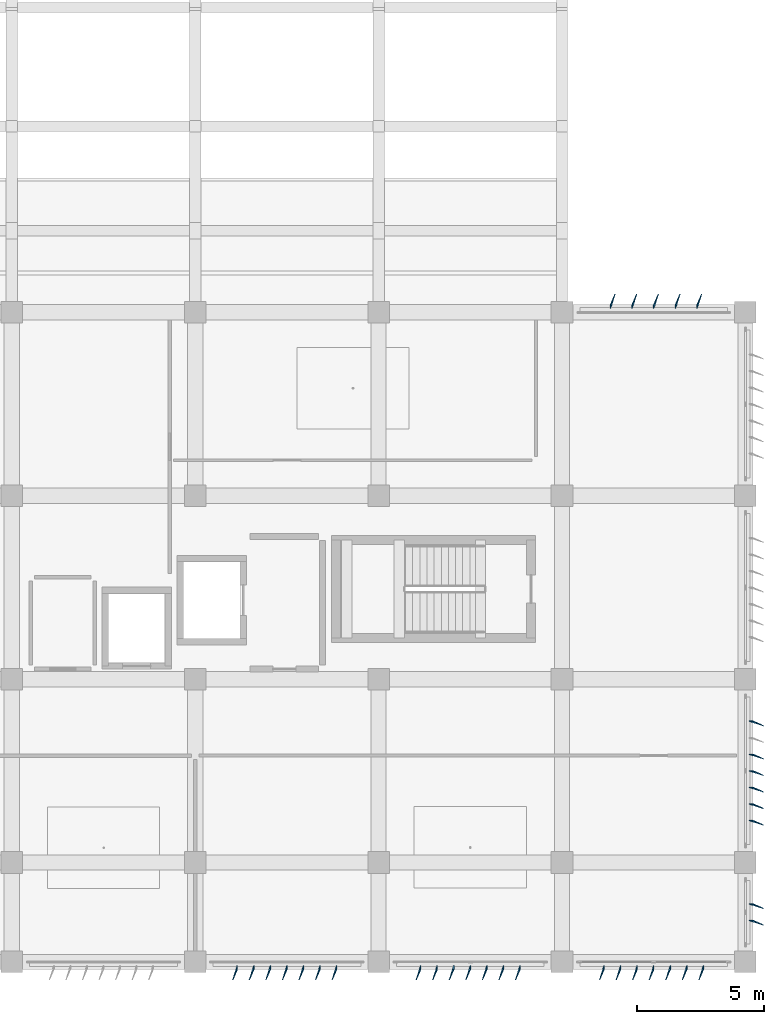
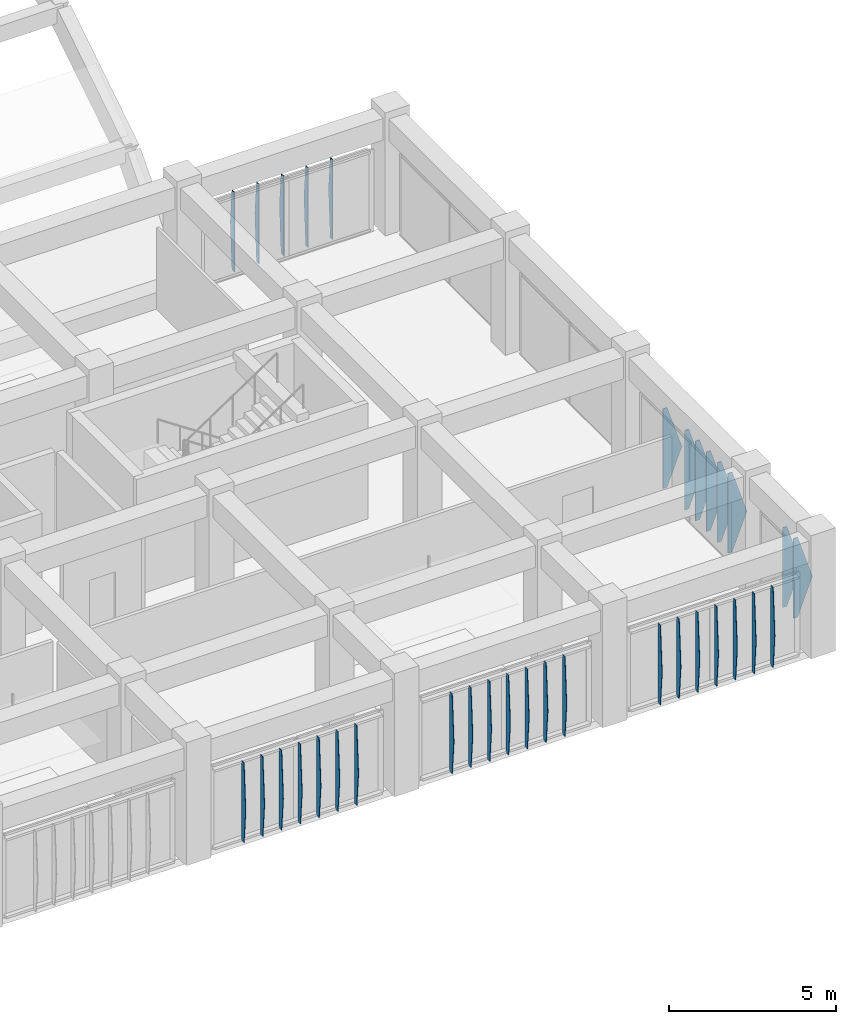
# One storey, part 44 of 48: 34 plates.
"""IFC4 building model written with IfcOpenShell, lengths in metres."""

from ifc_helpers import new_model, si_unit, direction, frame, origin, place, context, subcontext, project, spatial, polygons, material, layer, layer_set, type_object, element, save


model = new_model("IFC4")

# Units and contexts
model_context = context("Model", 3, precision=1e-05, world=origin(), true_north=direction((0.0, 1.0)))
body_context = subcontext(model_context, "Body", "Model", "MODEL_VIEW")
ifc_project = project(units=[si_unit("LENGTHUNIT", "METRE"), si_unit("AREAUNIT", "SQUARE_METRE"), si_unit("VOLUMEUNIT", "CUBIC_METRE"), si_unit("PLANEANGLEUNIT", "RADIAN"), si_unit("MASSUNIT", "GRAM", prefix="KILO")], contexts=[model_context])

# Site, building, storey
site_placement = place(None, origin())
site = spatial("IfcSite", under=ifc_project, at=site_placement, CompositionType="ELEMENT")
building_placement = place(site_placement, origin())
building = spatial("IfcBuilding", under=site, at=building_placement, Name="Kazehaya Institute of Natural Sciences", CompositionType="ELEMENT")
storey_placement = place(building_placement, frame((0.0, 0.0, 19.800048828125)))
storey = spatial("IfcBuildingStorey", under=building, at=storey_placement, Name="L04", CompositionType="ELEMENT", Elevation=19.800048828125)

# Plates
ifc_material = material(Name="Bronze-anodised aluminium alloy A6063S-T5", Category="aluminium")
ifc_layer_1 = layer(ifc_material, 0.02001953125, Name="Bronze-anodised aluminium alloy A6063S-T5", Category="aluminium")
ifc_layer_set_1 = layer_set([ifc_layer_1], Name="Bronze-anodised aluminium alloy A6063S-T5")
plate_type_1 = type_object("IfcPlateType", Name="FIN-DF-E1", PredefinedType="USERDEFINED", material=ifc_layer_set_1)
plate_1_placement = place(storey_placement, origin())
element("IfcPlate", 1, at=plate_1_placement, inside=storey, type_object=plate_type_1, Name="L04 folded diamond-pyramid shading fin FIN-L04-E-0188", ObjectType="SHADING_FIN", PredefinedType="USERDEFINED", context=body_context, shape_type="Tessellation", body=[
    polygons([(119.554931640625, 12.385009765625, 0.0400390625), (119.699951171875, 12.385009765625, 0.0400390625), (120.110107421875, 12.206298828125, 1.5), (119.699951171875, 12.385009765625, 2.9599609375), (119.554931640625, 12.385009765625, 2.9599609375), (119.554931640625, 12.364990234375, 0.0400390625), (119.699951171875, 12.364990234375, 0.0400390625), (120.110107421875, 12.186279296875, 1.5), (119.699951171875, 12.364990234375, 2.9599609375), (119.554931640625, 12.364990234375, 2.9599609375)], [[[1, 5, 4, 3, 2]], [[6, 7, 8, 9, 10]], [[1, 2, 7, 6]], [[2, 3, 8, 7]], [[3, 4, 9, 8]], [[4, 5, 10, 9]], [[5, 1, 6, 10]]], closed=True),
])
plate_2_placement = place(storey_placement, origin())
element("IfcPlate", 2, at=plate_2_placement, inside=storey, type_object=plate_type_1, Name="L04 folded diamond-pyramid shading fin FIN-L04-E-0189", ObjectType="SHADING_FIN", PredefinedType="USERDEFINED", context=body_context, shape_type="Tessellation", body=[
    polygons([(119.554931640625, 11.735107421875, 0.0400390625), (119.699951171875, 11.735107421875, 0.0400390625), (120.110107421875, 11.556396484375, 1.5), (119.699951171875, 11.735107421875, 2.9599609375), (119.554931640625, 11.735107421875, 2.9599609375), (119.554931640625, 11.715087890625, 0.0400390625), (119.699951171875, 11.715087890625, 0.0400390625), (120.110107421875, 11.536376953125, 1.5), (119.699951171875, 11.715087890625, 2.9599609375), (119.554931640625, 11.715087890625, 2.9599609375)], [[[1, 5, 4, 3, 2]], [[6, 7, 8, 9, 10]], [[1, 2, 7, 6]], [[2, 3, 8, 7]], [[3, 4, 9, 8]], [[4, 5, 10, 9]], [[5, 1, 6, 10]]], closed=True),
])
plate_3_placement = place(storey_placement, origin())
element("IfcPlate", 3, at=plate_3_placement, inside=storey, type_object=plate_type_1, Name="L04 folded diamond-pyramid shading fin FIN-L04-E-0197", ObjectType="SHADING_FIN", PredefinedType="USERDEFINED", context=body_context, shape_type="Tessellation", body=[
    polygons([(119.554931640625, 19.56005859375, 0.0400390625), (119.699951171875, 19.56005859375, 0.0400390625), (120.110107421875, 19.38134765625, 1.5), (119.699951171875, 19.56005859375, 2.9599609375), (119.554931640625, 19.56005859375, 2.9599609375), (119.554931640625, 19.5400390625, 0.0400390625), (119.699951171875, 19.5400390625, 0.0400390625), (120.110107421875, 19.361328125, 1.5), (119.699951171875, 19.5400390625, 2.9599609375), (119.554931640625, 19.5400390625, 2.9599609375)], [[[1, 5, 4, 3, 2]], [[6, 7, 8, 9, 10]], [[1, 2, 7, 6]], [[2, 3, 8, 7]], [[3, 4, 9, 8]], [[4, 5, 10, 9]], [[5, 1, 6, 10]]], closed=True),
])
plate_4_placement = place(storey_placement, origin())
element("IfcPlate", 4, at=plate_4_placement, inside=storey, type_object=plate_type_1, Name="L04 folded diamond-pyramid shading fin FIN-L04-E-0199", ObjectType="SHADING_FIN", PredefinedType="USERDEFINED", context=body_context, shape_type="Tessellation", body=[
    polygons([(119.554931640625, 18.260009765625, 0.0400390625), (119.699951171875, 18.260009765625, 0.0400390625), (120.110107421875, 18.081298828125, 1.5), (119.699951171875, 18.260009765625, 2.9599609375), (119.554931640625, 18.260009765625, 2.9599609375), (119.554931640625, 18.239990234375, 0.0400390625), (119.699951171875, 18.239990234375, 0.0400390625), (120.110107421875, 18.061279296875, 1.5), (119.699951171875, 18.239990234375, 2.9599609375), (119.554931640625, 18.239990234375, 2.9599609375)], [[[1, 5, 4, 3, 2]], [[6, 7, 8, 9, 10]], [[1, 2, 7, 6]], [[2, 3, 8, 7]], [[3, 4, 9, 8]], [[4, 5, 10, 9]], [[5, 1, 6, 10]]], closed=True),
])
plate_5_placement = place(storey_placement, origin())
element("IfcPlate", 5, at=plate_5_placement, inside=storey, type_object=plate_type_1, Name="L04 folded diamond-pyramid shading fin FIN-L04-E-0200", ObjectType="SHADING_FIN", PredefinedType="USERDEFINED", context=body_context, shape_type="Tessellation", body=[
    polygons([(119.554931640625, 17.610107421875, 0.0400390625), (119.699951171875, 17.610107421875, 0.0400390625), (120.110107421875, 17.431396484375, 1.5), (119.699951171875, 17.610107421875, 2.9599609375), (119.554931640625, 17.610107421875, 2.9599609375), (119.554931640625, 17.590087890625, 0.0400390625), (119.699951171875, 17.590087890625, 0.0400390625), (120.110107421875, 17.411376953125, 1.5), (119.699951171875, 17.590087890625, 2.9599609375), (119.554931640625, 17.590087890625, 2.9599609375)], [[[1, 5, 4, 3, 2]], [[6, 7, 8, 9, 10]], [[1, 2, 7, 6]], [[2, 3, 8, 7]], [[3, 4, 9, 8]], [[4, 5, 10, 9]], [[5, 1, 6, 10]]], closed=True),
])
plate_6_placement = place(storey_placement, origin())
element("IfcPlate", 6, at=plate_6_placement, inside=storey, type_object=plate_type_1, Name="L04 folded diamond-pyramid shading fin FIN-L04-E-0201", ObjectType="SHADING_FIN", PredefinedType="USERDEFINED", context=body_context, shape_type="Tessellation", body=[
    polygons([(119.554931640625, 16.9599609375, 0.0400390625), (119.699951171875, 16.9599609375, 0.0400390625), (120.110107421875, 16.78125, 1.5), (119.699951171875, 16.9599609375, 2.9599609375), (119.554931640625, 16.9599609375, 2.9599609375), (119.554931640625, 16.93994140625, 0.0400390625), (119.699951171875, 16.93994140625, 0.0400390625), (120.110107421875, 16.76123046875, 1.5), (119.699951171875, 16.93994140625, 2.9599609375), (119.554931640625, 16.93994140625, 2.9599609375)], [[[1, 5, 4, 3, 2]], [[6, 7, 8, 9, 10]], [[1, 2, 7, 6]], [[2, 3, 8, 7]], [[3, 4, 9, 8]], [[4, 5, 10, 9]], [[5, 1, 6, 10]]], closed=True),
])
plate_7_placement = place(storey_placement, origin())
element("IfcPlate", 7, at=plate_7_placement, inside=storey, type_object=plate_type_1, Name="L04 folded diamond-pyramid shading fin FIN-L04-E-0202", ObjectType="SHADING_FIN", PredefinedType="USERDEFINED", context=body_context, shape_type="Tessellation", body=[
    polygons([(119.554931640625, 16.31005859375, 0.0400390625), (119.699951171875, 16.31005859375, 0.0400390625), (120.110107421875, 16.13134765625, 1.5), (119.699951171875, 16.31005859375, 2.9599609375), (119.554931640625, 16.31005859375, 2.9599609375), (119.554931640625, 16.2900390625, 0.0400390625), (119.699951171875, 16.2900390625, 0.0400390625), (120.110107421875, 16.111328125, 1.5), (119.699951171875, 16.2900390625, 2.9599609375), (119.554931640625, 16.2900390625, 2.9599609375)], [[[1, 5, 4, 3, 2]], [[6, 7, 8, 9, 10]], [[1, 2, 7, 6]], [[2, 3, 8, 7]], [[3, 4, 9, 8]], [[4, 5, 10, 9]], [[5, 1, 6, 10]]], closed=True),
])
plate_8_placement = place(storey_placement, origin())
element("IfcPlate", 8, at=plate_8_placement, inside=storey, type_object=plate_type_1, Name="L04 folded diamond-pyramid shading fin FIN-L04-E-0203", ObjectType="SHADING_FIN", PredefinedType="USERDEFINED", context=body_context, shape_type="Tessellation", body=[
    polygons([(119.554931640625, 15.659912109375, 0.0400390625), (119.699951171875, 15.659912109375, 0.0400390625), (120.110107421875, 15.481201171875, 1.5), (119.699951171875, 15.659912109375, 2.9599609375), (119.554931640625, 15.659912109375, 2.9599609375), (119.554931640625, 15.639892578125, 0.0400390625), (119.699951171875, 15.639892578125, 0.0400390625), (120.110107421875, 15.461181640625, 1.5), (119.699951171875, 15.639892578125, 2.9599609375), (119.554931640625, 15.639892578125, 2.9599609375)], [[[1, 5, 4, 3, 2]], [[6, 7, 8, 9, 10]], [[1, 2, 7, 6]], [[2, 3, 8, 7]], [[3, 4, 9, 8]], [[4, 5, 10, 9]], [[5, 1, 6, 10]]], closed=True),
])
ifc_layer_2 = layer(ifc_material, 0.02001953125, Name="Bronze-anodised aluminium alloy A6063S-T5", Category="aluminium")
ifc_layer_set_2 = layer_set([ifc_layer_2], Name="Bronze-anodised aluminium alloy A6063S-T5")
plate_type_2 = type_object("IfcPlateType", Name="FIN-DF-N1", PredefinedType="USERDEFINED", material=ifc_layer_set_2)
plate_9_placement = place(storey_placement, origin())
element("IfcPlate", 9, at=plate_9_placement, inside=storey, type_object=plate_type_2, Name="L04 folded diamond-pyramid shading fin FIN-L04-N-0181", ObjectType="SHADING_FIN", PredefinedType="USERDEFINED", context=body_context, shape_type="Tessellation", body=[
    polygons([(114.090087890625, 35.7548828125, 0.0400390625), (114.090087890625, 35.89990234375, 0.0400390625), (114.268798828125, 36.31005859375, 1.5), (114.090087890625, 35.89990234375, 2.9599609375), (114.090087890625, 35.7548828125, 2.9599609375), (114.110107421875, 35.7548828125, 0.0400390625), (114.110107421875, 35.89990234375, 0.0400390625), (114.288818359375, 36.31005859375, 1.5), (114.110107421875, 35.89990234375, 2.9599609375), (114.110107421875, 35.7548828125, 2.9599609375)], [[[1, 5, 4, 3, 2]], [[6, 7, 8, 9, 10]], [[1, 2, 7, 6]], [[2, 3, 8, 7]], [[3, 4, 9, 8]], [[4, 5, 10, 9]], [[5, 1, 6, 10]]], closed=True),
])
plate_10_placement = place(storey_placement, origin())
element("IfcPlate", 10, at=plate_10_placement, inside=storey, type_object=plate_type_2, Name="L04 folded diamond-pyramid shading fin FIN-L04-N-0182", ObjectType="SHADING_FIN", PredefinedType="USERDEFINED", context=body_context, shape_type="Tessellation", body=[
    polygons([(114.93994140625, 35.7548828125, 0.0400390625), (114.93994140625, 35.89990234375, 0.0400390625), (115.11865234375, 36.31005859375, 1.5), (114.93994140625, 35.89990234375, 2.9599609375), (114.93994140625, 35.7548828125, 2.9599609375), (114.9599609375, 35.7548828125, 0.0400390625), (114.9599609375, 35.89990234375, 0.0400390625), (115.138671875, 36.31005859375, 1.5), (114.9599609375, 35.89990234375, 2.9599609375), (114.9599609375, 35.7548828125, 2.9599609375)], [[[1, 5, 4, 3, 2]], [[6, 7, 8, 9, 10]], [[1, 2, 7, 6]], [[2, 3, 8, 7]], [[3, 4, 9, 8]], [[4, 5, 10, 9]], [[5, 1, 6, 10]]], closed=True),
])
plate_11_placement = place(storey_placement, origin())
element("IfcPlate", 11, at=plate_11_placement, inside=storey, type_object=plate_type_2, Name="L04 folded diamond-pyramid shading fin FIN-L04-N-0183", ObjectType="SHADING_FIN", PredefinedType="USERDEFINED", context=body_context, shape_type="Tessellation", body=[
    polygons([(115.7900390625, 35.7548828125, 0.0400390625), (115.7900390625, 35.89990234375, 0.0400390625), (115.96875, 36.31005859375, 1.5), (115.7900390625, 35.89990234375, 2.9599609375), (115.7900390625, 35.7548828125, 2.9599609375), (115.81005859375, 35.7548828125, 0.0400390625), (115.81005859375, 35.89990234375, 0.0400390625), (115.98876953125, 36.31005859375, 1.5), (115.81005859375, 35.89990234375, 2.9599609375), (115.81005859375, 35.7548828125, 2.9599609375)], [[[1, 5, 4, 3, 2]], [[6, 7, 8, 9, 10]], [[1, 2, 7, 6]], [[2, 3, 8, 7]], [[3, 4, 9, 8]], [[4, 5, 10, 9]], [[5, 1, 6, 10]]], closed=True),
])
plate_12_placement = place(storey_placement, origin())
element("IfcPlate", 12, at=plate_12_placement, inside=storey, type_object=plate_type_2, Name="L04 folded diamond-pyramid shading fin FIN-L04-N-0184", ObjectType="SHADING_FIN", PredefinedType="USERDEFINED", context=body_context, shape_type="Tessellation", body=[
    polygons([(116.639892578125, 35.7548828125, 0.0400390625), (116.639892578125, 35.89990234375, 0.0400390625), (116.818603515625, 36.31005859375, 1.5), (116.639892578125, 35.89990234375, 2.9599609375), (116.639892578125, 35.7548828125, 2.9599609375), (116.659912109375, 35.7548828125, 0.0400390625), (116.659912109375, 35.89990234375, 0.0400390625), (116.838623046875, 36.31005859375, 1.5), (116.659912109375, 35.89990234375, 2.9599609375), (116.659912109375, 35.7548828125, 2.9599609375)], [[[1, 5, 4, 3, 2]], [[6, 7, 8, 9, 10]], [[1, 2, 7, 6]], [[2, 3, 8, 7]], [[3, 4, 9, 8]], [[4, 5, 10, 9]], [[5, 1, 6, 10]]], closed=True),
])
plate_13_placement = place(storey_placement, origin())
element("IfcPlate", 13, at=plate_13_placement, inside=storey, type_object=plate_type_2, Name="L04 folded diamond-pyramid shading fin FIN-L04-N-0185", ObjectType="SHADING_FIN", PredefinedType="USERDEFINED", context=body_context, shape_type="Tessellation", body=[
    polygons([(117.489990234375, 35.7548828125, 0.0400390625), (117.489990234375, 35.89990234375, 0.0400390625), (117.668701171875, 36.31005859375, 1.5), (117.489990234375, 35.89990234375, 2.9599609375), (117.489990234375, 35.7548828125, 2.9599609375), (117.510009765625, 35.7548828125, 0.0400390625), (117.510009765625, 35.89990234375, 0.0400390625), (117.688720703125, 36.31005859375, 1.5), (117.510009765625, 35.89990234375, 2.9599609375), (117.510009765625, 35.7548828125, 2.9599609375)], [[[1, 5, 4, 3, 2]], [[6, 7, 8, 9, 10]], [[1, 2, 7, 6]], [[2, 3, 8, 7]], [[3, 4, 9, 8]], [[4, 5, 10, 9]], [[5, 1, 6, 10]]], closed=True),
])
ifc_layer_3 = layer(ifc_material, 0.02001953125, Name="Bronze-anodised aluminium alloy A6063S-T5", Category="aluminium")
ifc_layer_set_3 = layer_set([ifc_layer_3], Name="Bronze-anodised aluminium alloy A6063S-T5")
plate_type_3 = type_object("IfcPlateType", Name="FIN-DF-S1", PredefinedType="USERDEFINED", material=ifc_layer_set_3)
plate_14_placement = place(storey_placement, origin())
element("IfcPlate", 14, at=plate_14_placement, inside=storey, type_object=plate_type_3, Name="L04 folded diamond-pyramid shading fin FIN-L04-S-0113", ObjectType="SHADING_FIN", PredefinedType="USERDEFINED", context=body_context, shape_type="Tessellation", body=[
    polygons([(117.760009765625, 9.945068359375, 0.0400390625), (117.760009765625, 9.800048828125, 0.0400390625), (117.581298828125, 9.389892578125, 1.5), (117.760009765625, 9.800048828125, 2.9599609375), (117.760009765625, 9.945068359375, 2.9599609375), (117.739990234375, 9.945068359375, 0.0400390625), (117.739990234375, 9.800048828125, 0.0400390625), (117.561279296875, 9.389892578125, 1.5), (117.739990234375, 9.800048828125, 2.9599609375), (117.739990234375, 9.945068359375, 2.9599609375)], [[[1, 5, 4, 3, 2]], [[6, 7, 8, 9, 10]], [[1, 2, 7, 6]], [[2, 3, 8, 7]], [[3, 4, 9, 8]], [[4, 5, 10, 9]], [[5, 1, 6, 10]]], closed=True),
])
plate_15_placement = place(storey_placement, origin())
element("IfcPlate", 15, at=plate_15_placement, inside=storey, type_object=plate_type_3, Name="L04 folded diamond-pyramid shading fin FIN-L04-S-0114", ObjectType="SHADING_FIN", PredefinedType="USERDEFINED", context=body_context, shape_type="Tessellation", body=[
    polygons([(117.110107421875, 9.945068359375, 0.0400390625), (117.110107421875, 9.800048828125, 0.0400390625), (116.931396484375, 9.389892578125, 1.5), (117.110107421875, 9.800048828125, 2.9599609375), (117.110107421875, 9.945068359375, 2.9599609375), (117.090087890625, 9.945068359375, 0.0400390625), (117.090087890625, 9.800048828125, 0.0400390625), (116.911376953125, 9.389892578125, 1.5), (117.090087890625, 9.800048828125, 2.9599609375), (117.090087890625, 9.945068359375, 2.9599609375)], [[[1, 5, 4, 3, 2]], [[6, 7, 8, 9, 10]], [[1, 2, 7, 6]], [[2, 3, 8, 7]], [[3, 4, 9, 8]], [[4, 5, 10, 9]], [[5, 1, 6, 10]]], closed=True),
])
plate_16_placement = place(storey_placement, origin())
element("IfcPlate", 16, at=plate_16_placement, inside=storey, type_object=plate_type_3, Name="L04 folded diamond-pyramid shading fin FIN-L04-S-0115", ObjectType="SHADING_FIN", PredefinedType="USERDEFINED", context=body_context, shape_type="Tessellation", body=[
    polygons([(116.4599609375, 9.945068359375, 0.0400390625), (116.4599609375, 9.800048828125, 0.0400390625), (116.28125, 9.389892578125, 1.5), (116.4599609375, 9.800048828125, 2.9599609375), (116.4599609375, 9.945068359375, 2.9599609375), (116.43994140625, 9.945068359375, 0.0400390625), (116.43994140625, 9.800048828125, 0.0400390625), (116.26123046875, 9.389892578125, 1.5), (116.43994140625, 9.800048828125, 2.9599609375), (116.43994140625, 9.945068359375, 2.9599609375)], [[[1, 5, 4, 3, 2]], [[6, 7, 8, 9, 10]], [[1, 2, 7, 6]], [[2, 3, 8, 7]], [[3, 4, 9, 8]], [[4, 5, 10, 9]], [[5, 1, 6, 10]]], closed=True),
])
plate_17_placement = place(storey_placement, origin())
element("IfcPlate", 17, at=plate_17_placement, inside=storey, type_object=plate_type_3, Name="L04 folded diamond-pyramid shading fin FIN-L04-S-0116", ObjectType="SHADING_FIN", PredefinedType="USERDEFINED", context=body_context, shape_type="Tessellation", body=[
    polygons([(115.81005859375, 9.945068359375, 0.0400390625), (115.81005859375, 9.800048828125, 0.0400390625), (115.63134765625, 9.389892578125, 1.5), (115.81005859375, 9.800048828125, 2.9599609375), (115.81005859375, 9.945068359375, 2.9599609375), (115.7900390625, 9.945068359375, 0.0400390625), (115.7900390625, 9.800048828125, 0.0400390625), (115.611328125, 9.389892578125, 1.5), (115.7900390625, 9.800048828125, 2.9599609375), (115.7900390625, 9.945068359375, 2.9599609375)], [[[1, 5, 4, 3, 2]], [[6, 7, 8, 9, 10]], [[1, 2, 7, 6]], [[2, 3, 8, 7]], [[3, 4, 9, 8]], [[4, 5, 10, 9]], [[5, 1, 6, 10]]], closed=True),
])
plate_18_placement = place(storey_placement, origin())
element("IfcPlate", 18, at=plate_18_placement, inside=storey, type_object=plate_type_3, Name="L04 folded diamond-pyramid shading fin FIN-L04-S-0117", ObjectType="SHADING_FIN", PredefinedType="USERDEFINED", context=body_context, shape_type="Tessellation", body=[
    polygons([(115.159912109375, 9.945068359375, 0.0400390625), (115.159912109375, 9.800048828125, 0.0400390625), (114.981201171875, 9.389892578125, 1.5), (115.159912109375, 9.800048828125, 2.9599609375), (115.159912109375, 9.945068359375, 2.9599609375), (115.139892578125, 9.945068359375, 0.0400390625), (115.139892578125, 9.800048828125, 0.0400390625), (114.961181640625, 9.389892578125, 1.5), (115.139892578125, 9.800048828125, 2.9599609375), (115.139892578125, 9.945068359375, 2.9599609375)], [[[1, 5, 4, 3, 2]], [[6, 7, 8, 9, 10]], [[1, 2, 7, 6]], [[2, 3, 8, 7]], [[3, 4, 9, 8]], [[4, 5, 10, 9]], [[5, 1, 6, 10]]], closed=True),
])
plate_19_placement = place(storey_placement, origin())
element("IfcPlate", 19, at=plate_19_placement, inside=storey, type_object=plate_type_3, Name="L04 folded diamond-pyramid shading fin FIN-L04-S-0118", ObjectType="SHADING_FIN", PredefinedType="USERDEFINED", context=body_context, shape_type="Tessellation", body=[
    polygons([(114.510009765625, 9.945068359375, 0.0400390625), (114.510009765625, 9.800048828125, 0.0400390625), (114.331298828125, 9.389892578125, 1.5), (114.510009765625, 9.800048828125, 2.9599609375), (114.510009765625, 9.945068359375, 2.9599609375), (114.489990234375, 9.945068359375, 0.0400390625), (114.489990234375, 9.800048828125, 0.0400390625), (114.311279296875, 9.389892578125, 1.5), (114.489990234375, 9.800048828125, 2.9599609375), (114.489990234375, 9.945068359375, 2.9599609375)], [[[1, 5, 4, 3, 2]], [[6, 7, 8, 9, 10]], [[1, 2, 7, 6]], [[2, 3, 8, 7]], [[3, 4, 9, 8]], [[4, 5, 10, 9]], [[5, 1, 6, 10]]], closed=True),
])
plate_20_placement = place(storey_placement, origin())
element("IfcPlate", 20, at=plate_20_placement, inside=storey, type_object=plate_type_3, Name="L04 folded diamond-pyramid shading fin FIN-L04-S-0119", ObjectType="SHADING_FIN", PredefinedType="USERDEFINED", context=body_context, shape_type="Tessellation", body=[
    polygons([(113.860107421875, 9.945068359375, 0.0400390625), (113.860107421875, 9.800048828125, 0.0400390625), (113.681396484375, 9.389892578125, 1.5), (113.860107421875, 9.800048828125, 2.9599609375), (113.860107421875, 9.945068359375, 2.9599609375), (113.840087890625, 9.945068359375, 0.0400390625), (113.840087890625, 9.800048828125, 0.0400390625), (113.661376953125, 9.389892578125, 1.5), (113.840087890625, 9.800048828125, 2.9599609375), (113.840087890625, 9.945068359375, 2.9599609375)], [[[1, 5, 4, 3, 2]], [[6, 7, 8, 9, 10]], [[1, 2, 7, 6]], [[2, 3, 8, 7]], [[3, 4, 9, 8]], [[4, 5, 10, 9]], [[5, 1, 6, 10]]], closed=True),
])
plate_21_placement = place(storey_placement, origin())
element("IfcPlate", 21, at=plate_21_placement, inside=storey, type_object=plate_type_3, Name="L04 folded diamond-pyramid shading fin FIN-L04-S-0120", ObjectType="SHADING_FIN", PredefinedType="USERDEFINED", context=body_context, shape_type="Tessellation", body=[
    polygons([(110.56005859375, 9.945068359375, 0.0400390625), (110.56005859375, 9.800048828125, 0.0400390625), (110.38134765625, 9.389892578125, 1.5), (110.56005859375, 9.800048828125, 2.9599609375), (110.56005859375, 9.945068359375, 2.9599609375), (110.5400390625, 9.945068359375, 0.0400390625), (110.5400390625, 9.800048828125, 0.0400390625), (110.361328125, 9.389892578125, 1.5), (110.5400390625, 9.800048828125, 2.9599609375), (110.5400390625, 9.945068359375, 2.9599609375)], [[[1, 5, 4, 3, 2]], [[6, 7, 8, 9, 10]], [[1, 2, 7, 6]], [[2, 3, 8, 7]], [[3, 4, 9, 8]], [[4, 5, 10, 9]], [[5, 1, 6, 10]]], closed=True),
])
plate_22_placement = place(storey_placement, origin())
element("IfcPlate", 22, at=plate_22_placement, inside=storey, type_object=plate_type_3, Name="L04 folded diamond-pyramid shading fin FIN-L04-S-0121", ObjectType="SHADING_FIN", PredefinedType="USERDEFINED", context=body_context, shape_type="Tessellation", body=[
    polygons([(109.909912109375, 9.945068359375, 0.0400390625), (109.909912109375, 9.800048828125, 0.0400390625), (109.731201171875, 9.389892578125, 1.5), (109.909912109375, 9.800048828125, 2.9599609375), (109.909912109375, 9.945068359375, 2.9599609375), (109.889892578125, 9.945068359375, 0.0400390625), (109.889892578125, 9.800048828125, 0.0400390625), (109.711181640625, 9.389892578125, 1.5), (109.889892578125, 9.800048828125, 2.9599609375), (109.889892578125, 9.945068359375, 2.9599609375)], [[[1, 5, 4, 3, 2]], [[6, 7, 8, 9, 10]], [[1, 2, 7, 6]], [[2, 3, 8, 7]], [[3, 4, 9, 8]], [[4, 5, 10, 9]], [[5, 1, 6, 10]]], closed=True),
])
plate_23_placement = place(storey_placement, origin())
element("IfcPlate", 23, at=plate_23_placement, inside=storey, type_object=plate_type_3, Name="L04 folded diamond-pyramid shading fin FIN-L04-S-0122", ObjectType="SHADING_FIN", PredefinedType="USERDEFINED", context=body_context, shape_type="Tessellation", body=[
    polygons([(109.260009765625, 9.945068359375, 0.0400390625), (109.260009765625, 9.800048828125, 0.0400390625), (109.081298828125, 9.389892578125, 1.5), (109.260009765625, 9.800048828125, 2.9599609375), (109.260009765625, 9.945068359375, 2.9599609375), (109.239990234375, 9.945068359375, 0.0400390625), (109.239990234375, 9.800048828125, 0.0400390625), (109.061279296875, 9.389892578125, 1.5), (109.239990234375, 9.800048828125, 2.9599609375), (109.239990234375, 9.945068359375, 2.9599609375)], [[[1, 5, 4, 3, 2]], [[6, 7, 8, 9, 10]], [[1, 2, 7, 6]], [[2, 3, 8, 7]], [[3, 4, 9, 8]], [[4, 5, 10, 9]], [[5, 1, 6, 10]]], closed=True),
])
plate_24_placement = place(storey_placement, origin())
element("IfcPlate", 24, at=plate_24_placement, inside=storey, type_object=plate_type_3, Name="L04 folded diamond-pyramid shading fin FIN-L04-S-0123", ObjectType="SHADING_FIN", PredefinedType="USERDEFINED", context=body_context, shape_type="Tessellation", body=[
    polygons([(108.610107421875, 9.945068359375, 0.0400390625), (108.610107421875, 9.800048828125, 0.0400390625), (108.431396484375, 9.389892578125, 1.5), (108.610107421875, 9.800048828125, 2.9599609375), (108.610107421875, 9.945068359375, 2.9599609375), (108.590087890625, 9.945068359375, 0.0400390625), (108.590087890625, 9.800048828125, 0.0400390625), (108.411376953125, 9.389892578125, 1.5), (108.590087890625, 9.800048828125, 2.9599609375), (108.590087890625, 9.945068359375, 2.9599609375)], [[[1, 5, 4, 3, 2]], [[6, 7, 8, 9, 10]], [[1, 2, 7, 6]], [[2, 3, 8, 7]], [[3, 4, 9, 8]], [[4, 5, 10, 9]], [[5, 1, 6, 10]]], closed=True),
])
plate_25_placement = place(storey_placement, origin())
element("IfcPlate", 25, at=plate_25_placement, inside=storey, type_object=plate_type_3, Name="L04 folded diamond-pyramid shading fin FIN-L04-S-0124", ObjectType="SHADING_FIN", PredefinedType="USERDEFINED", context=body_context, shape_type="Tessellation", body=[
    polygons([(107.9599609375, 9.945068359375, 0.0400390625), (107.9599609375, 9.800048828125, 0.0400390625), (107.78125, 9.389892578125, 1.5), (107.9599609375, 9.800048828125, 2.9599609375), (107.9599609375, 9.945068359375, 2.9599609375), (107.93994140625, 9.945068359375, 0.0400390625), (107.93994140625, 9.800048828125, 0.0400390625), (107.76123046875, 9.389892578125, 1.5), (107.93994140625, 9.800048828125, 2.9599609375), (107.93994140625, 9.945068359375, 2.9599609375)], [[[1, 5, 4, 3, 2]], [[6, 7, 8, 9, 10]], [[1, 2, 7, 6]], [[2, 3, 8, 7]], [[3, 4, 9, 8]], [[4, 5, 10, 9]], [[5, 1, 6, 10]]], closed=True),
])
plate_26_placement = place(storey_placement, origin())
element("IfcPlate", 26, at=plate_26_placement, inside=storey, type_object=plate_type_3, Name="L04 folded diamond-pyramid shading fin FIN-L04-S-0125", ObjectType="SHADING_FIN", PredefinedType="USERDEFINED", context=body_context, shape_type="Tessellation", body=[
    polygons([(107.31005859375, 9.945068359375, 0.0400390625), (107.31005859375, 9.800048828125, 0.0400390625), (107.13134765625, 9.389892578125, 1.5), (107.31005859375, 9.800048828125, 2.9599609375), (107.31005859375, 9.945068359375, 2.9599609375), (107.2900390625, 9.945068359375, 0.0400390625), (107.2900390625, 9.800048828125, 0.0400390625), (107.111328125, 9.389892578125, 1.5), (107.2900390625, 9.800048828125, 2.9599609375), (107.2900390625, 9.945068359375, 2.9599609375)], [[[1, 5, 4, 3, 2]], [[6, 7, 8, 9, 10]], [[1, 2, 7, 6]], [[2, 3, 8, 7]], [[3, 4, 9, 8]], [[4, 5, 10, 9]], [[5, 1, 6, 10]]], closed=True),
])
plate_27_placement = place(storey_placement, origin())
element("IfcPlate", 27, at=plate_27_placement, inside=storey, type_object=plate_type_3, Name="L04 folded diamond-pyramid shading fin FIN-L04-S-0126", ObjectType="SHADING_FIN", PredefinedType="USERDEFINED", context=body_context, shape_type="Tessellation", body=[
    polygons([(106.659912109375, 9.945068359375, 0.0400390625), (106.659912109375, 9.800048828125, 0.0400390625), (106.481201171875, 9.389892578125, 1.5), (106.659912109375, 9.800048828125, 2.9599609375), (106.659912109375, 9.945068359375, 2.9599609375), (106.639892578125, 9.945068359375, 0.0400390625), (106.639892578125, 9.800048828125, 0.0400390625), (106.461181640625, 9.389892578125, 1.5), (106.639892578125, 9.800048828125, 2.9599609375), (106.639892578125, 9.945068359375, 2.9599609375)], [[[1, 5, 4, 3, 2]], [[6, 7, 8, 9, 10]], [[1, 2, 7, 6]], [[2, 3, 8, 7]], [[3, 4, 9, 8]], [[4, 5, 10, 9]], [[5, 1, 6, 10]]], closed=True),
])
plate_28_placement = place(storey_placement, origin())
element("IfcPlate", 28, at=plate_28_placement, inside=storey, type_object=plate_type_3, Name="L04 folded diamond-pyramid shading fin FIN-L04-S-0127", ObjectType="SHADING_FIN", PredefinedType="USERDEFINED", context=body_context, shape_type="Tessellation", body=[
    polygons([(103.360107421875, 9.945068359375, 0.0400390625), (103.360107421875, 9.800048828125, 0.0400390625), (103.181396484375, 9.389892578125, 1.5), (103.360107421875, 9.800048828125, 2.9599609375), (103.360107421875, 9.945068359375, 2.9599609375), (103.340087890625, 9.945068359375, 0.0400390625), (103.340087890625, 9.800048828125, 0.0400390625), (103.161376953125, 9.389892578125, 1.5), (103.340087890625, 9.800048828125, 2.9599609375), (103.340087890625, 9.945068359375, 2.9599609375)], [[[1, 5, 4, 3, 2]], [[6, 7, 8, 9, 10]], [[1, 2, 7, 6]], [[2, 3, 8, 7]], [[3, 4, 9, 8]], [[4, 5, 10, 9]], [[5, 1, 6, 10]]], closed=True),
])
plate_29_placement = place(storey_placement, origin())
element("IfcPlate", 29, at=plate_29_placement, inside=storey, type_object=plate_type_3, Name="L04 folded diamond-pyramid shading fin FIN-L04-S-0128", ObjectType="SHADING_FIN", PredefinedType="USERDEFINED", context=body_context, shape_type="Tessellation", body=[
    polygons([(102.7099609375, 9.945068359375, 0.0400390625), (102.7099609375, 9.800048828125, 0.0400390625), (102.53125, 9.389892578125, 1.5), (102.7099609375, 9.800048828125, 2.9599609375), (102.7099609375, 9.945068359375, 2.9599609375), (102.68994140625, 9.945068359375, 0.0400390625), (102.68994140625, 9.800048828125, 0.0400390625), (102.51123046875, 9.389892578125, 1.5), (102.68994140625, 9.800048828125, 2.9599609375), (102.68994140625, 9.945068359375, 2.9599609375)], [[[1, 5, 4, 3, 2]], [[6, 7, 8, 9, 10]], [[1, 2, 7, 6]], [[2, 3, 8, 7]], [[3, 4, 9, 8]], [[4, 5, 10, 9]], [[5, 1, 6, 10]]], closed=True),
])
plate_30_placement = place(storey_placement, origin())
element("IfcPlate", 30, at=plate_30_placement, inside=storey, type_object=plate_type_3, Name="L04 folded diamond-pyramid shading fin FIN-L04-S-0129", ObjectType="SHADING_FIN", PredefinedType="USERDEFINED", context=body_context, shape_type="Tessellation", body=[
    polygons([(102.06005859375, 9.945068359375, 0.0400390625), (102.06005859375, 9.800048828125, 0.0400390625), (101.88134765625, 9.389892578125, 1.5), (102.06005859375, 9.800048828125, 2.9599609375), (102.06005859375, 9.945068359375, 2.9599609375), (102.0400390625, 9.945068359375, 0.0400390625), (102.0400390625, 9.800048828125, 0.0400390625), (101.861328125, 9.389892578125, 1.5), (102.0400390625, 9.800048828125, 2.9599609375), (102.0400390625, 9.945068359375, 2.9599609375)], [[[1, 5, 4, 3, 2]], [[6, 7, 8, 9, 10]], [[1, 2, 7, 6]], [[2, 3, 8, 7]], [[3, 4, 9, 8]], [[4, 5, 10, 9]], [[5, 1, 6, 10]]], closed=True),
])
plate_31_placement = place(storey_placement, origin())
element("IfcPlate", 31, at=plate_31_placement, inside=storey, type_object=plate_type_3, Name="L04 folded diamond-pyramid shading fin FIN-L04-S-0130", ObjectType="SHADING_FIN", PredefinedType="USERDEFINED", context=body_context, shape_type="Tessellation", body=[
    polygons([(101.409912109375, 9.945068359375, 0.0400390625), (101.409912109375, 9.800048828125, 0.0400390625), (101.231201171875, 9.389892578125, 1.5), (101.409912109375, 9.800048828125, 2.9599609375), (101.409912109375, 9.945068359375, 2.9599609375), (101.389892578125, 9.945068359375, 0.0400390625), (101.389892578125, 9.800048828125, 0.0400390625), (101.211181640625, 9.389892578125, 1.5), (101.389892578125, 9.800048828125, 2.9599609375), (101.389892578125, 9.945068359375, 2.9599609375)], [[[1, 5, 4, 3, 2]], [[6, 7, 8, 9, 10]], [[1, 2, 7, 6]], [[2, 3, 8, 7]], [[3, 4, 9, 8]], [[4, 5, 10, 9]], [[5, 1, 6, 10]]], closed=True),
])
plate_32_placement = place(storey_placement, origin())
element("IfcPlate", 32, at=plate_32_placement, inside=storey, type_object=plate_type_3, Name="L04 folded diamond-pyramid shading fin FIN-L04-S-0131", ObjectType="SHADING_FIN", PredefinedType="USERDEFINED", context=body_context, shape_type="Tessellation", body=[
    polygons([(100.760009765625, 9.945068359375, 0.0400390625), (100.760009765625, 9.800048828125, 0.0400390625), (100.581298828125, 9.389892578125, 1.5), (100.760009765625, 9.800048828125, 2.9599609375), (100.760009765625, 9.945068359375, 2.9599609375), (100.739990234375, 9.945068359375, 0.0400390625), (100.739990234375, 9.800048828125, 0.0400390625), (100.561279296875, 9.389892578125, 1.5), (100.739990234375, 9.800048828125, 2.9599609375), (100.739990234375, 9.945068359375, 2.9599609375)], [[[1, 5, 4, 3, 2]], [[6, 7, 8, 9, 10]], [[1, 2, 7, 6]], [[2, 3, 8, 7]], [[3, 4, 9, 8]], [[4, 5, 10, 9]], [[5, 1, 6, 10]]], closed=True),
])
plate_33_placement = place(storey_placement, origin())
element("IfcPlate", 33, at=plate_33_placement, inside=storey, type_object=plate_type_3, Name="L04 folded diamond-pyramid shading fin FIN-L04-S-0132", ObjectType="SHADING_FIN", PredefinedType="USERDEFINED", context=body_context, shape_type="Tessellation", body=[
    polygons([(100.110107421875, 9.945068359375, 0.0400390625), (100.110107421875, 9.800048828125, 0.0400390625), (99.931396484375, 9.389892578125, 1.5), (100.110107421875, 9.800048828125, 2.9599609375), (100.110107421875, 9.945068359375, 2.9599609375), (100.090087890625, 9.945068359375, 0.0400390625), (100.090087890625, 9.800048828125, 0.0400390625), (99.911376953125, 9.389892578125, 1.5), (100.090087890625, 9.800048828125, 2.9599609375), (100.090087890625, 9.945068359375, 2.9599609375)], [[[1, 5, 4, 3, 2]], [[6, 7, 8, 9, 10]], [[1, 2, 7, 6]], [[2, 3, 8, 7]], [[3, 4, 9, 8]], [[4, 5, 10, 9]], [[5, 1, 6, 10]]], closed=True),
])
plate_34_placement = place(storey_placement, origin())
element("IfcPlate", 34, at=plate_34_placement, inside=storey, type_object=plate_type_3, Name="L04 folded diamond-pyramid shading fin FIN-L04-S-0133", ObjectType="SHADING_FIN", PredefinedType="USERDEFINED", context=body_context, shape_type="Tessellation", body=[
    polygons([(99.4599609375, 9.945068359375, 0.0400390625), (99.4599609375, 9.800048828125, 0.0400390625), (99.28125, 9.389892578125, 1.5), (99.4599609375, 9.800048828125, 2.9599609375), (99.4599609375, 9.945068359375, 2.9599609375), (99.43994140625, 9.945068359375, 0.0400390625), (99.43994140625, 9.800048828125, 0.0400390625), (99.26123046875, 9.389892578125, 1.5), (99.43994140625, 9.800048828125, 2.9599609375), (99.43994140625, 9.945068359375, 2.9599609375)], [[[1, 5, 4, 3, 2]], [[6, 7, 8, 9, 10]], [[1, 2, 7, 6]], [[2, 3, 8, 7]], [[3, 4, 9, 8]], [[4, 5, 10, 9]], [[5, 1, 6, 10]]], closed=True),
])

save(model, "model.ifc")
